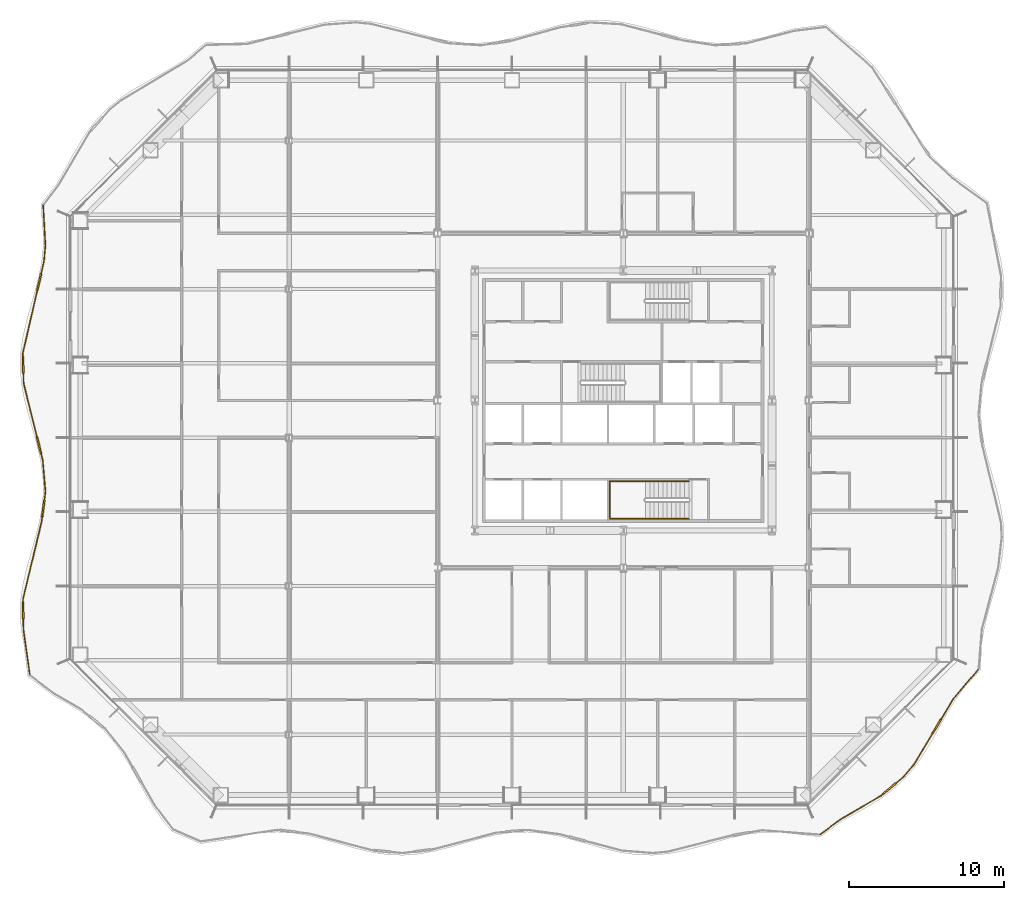
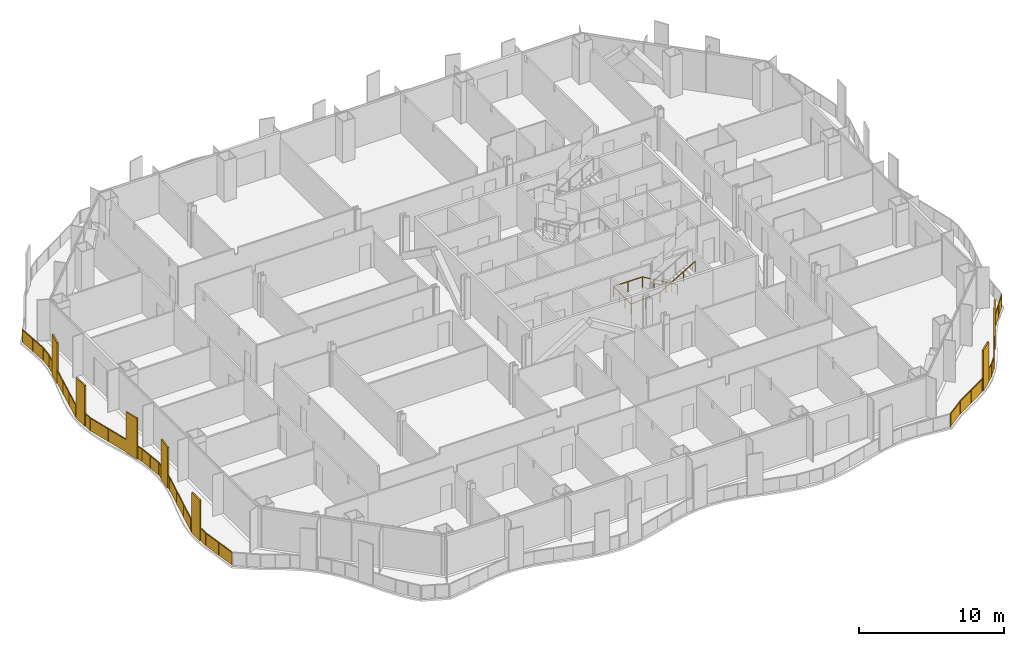
# One storey, part 17 of 21: 3 railings.
"""IFC4 building model written with IfcOpenShell, lengths in metres."""

from ifc_helpers import new_model, si_unit, direction, frame, origin, origin_2d, place, context, subcontext, project, spatial, polyline, rectangle, outline, extrude, material, type_object, element, save


model = new_model("IFC4")

# Units and contexts
model_context = context("Model", 3, precision=1e-05, world=origin(), true_north=direction((0.0, 1.0)))
body_context = subcontext(model_context, "Body", "Model", "MODEL_VIEW")
ifc_project = project(units=[si_unit("LENGTHUNIT", "METRE"), si_unit("AREAUNIT", "SQUARE_METRE"), si_unit("VOLUMEUNIT", "CUBIC_METRE"), si_unit("PLANEANGLEUNIT", "RADIAN"), si_unit("MASSUNIT", "GRAM", prefix="KILO")], contexts=[model_context])

# Site, building, storey
site_placement = place(None, origin())
site = spatial("IfcSite", under=ifc_project, at=site_placement, CompositionType="ELEMENT")
building_placement = place(site_placement, origin())
building = spatial("IfcBuilding", under=site, at=building_placement, Name="Cairn Pilgrim Tower", CompositionType="ELEMENT")
storey_placement = place(building_placement, frame((0.0, 0.0, 58.199951171875)))
storey = spatial("IfcBuildingStorey", under=building, at=storey_placement, Name="L12", CompositionType="ELEMENT", Elevation=58.199951171875)

# Railings
ifc_material_1 = material(Name="Bronze anodised aluminium rail, posts and fin screens with laminated glass infill", Category="aluminium")
railing_type_1 = type_object("IfcRailingType", Name="BALCONY GUARD WITH FIN SCREENS", PredefinedType="GUARDRAIL", material=ifc_material_1)
railing_1_placement = place(storey_placement, frame((19.905029296875, -25.6552734375, 0.0)))
element("IfcRailing", 1, at=railing_1_placement, inside=storey, type_object=railing_type_1, Name="Balcony guard BGF-2 with fin screens", PredefinedType="GUARDRAIL", context=body_context, shape_type="SweptSolid", body=[
    extrude(rectangle(XDim=0.050048828125, YDim=0.050048828125, at=origin_2d()), frame((0.0, 0.0, 1.0751953125), z_axis=(0.803950989121, 0.594695558326, 0.0), x_axis=(-0.594695558326, 0.803950989121, 0.0)), (0.0, 0.0, 1.0), 1.690673828125),
    extrude(rectangle(XDim=0.050048828125, YDim=0.050048828125, at=origin_2d()), frame((1.359130859375, 1.00537109375, 1.0751953125), z_axis=(0.864320719994, 0.502941043253, 0.0), x_axis=(-0.502941043253, 0.864320719994, 0.0)), (0.0, 0.0, 1.0), 3.00439453125),
    extrude(rectangle(XDim=1.10009765625, YDim=0.110107421875, at=origin_2d()), frame((4.490234375, 2.968505859375, 0.0), z_axis=(0.0, 0.0, 1.0), x_axis=(0.76350197981, 0.645805486835, 0.0)), (0.0, 0.0, 1.0), 3.39990234375),
    extrude(rectangle(XDim=0.050048828125, YDim=0.050048828125, at=origin_2d()), frame((3.955810546875, 2.516357421875, 1.0751953125), z_axis=(0.76350197981, 0.645805486835, 0.0), x_axis=(-0.645805486835, 0.76350197981, 0.0)), (0.0, 0.0, 1.0), 0.150146484375),
    extrude(rectangle(XDim=0.050048828125, YDim=0.050048828125, at=origin_2d()), frame((4.91015625, 3.32373046875, 1.0751953125), z_axis=(0.76350197981, 0.645805486835, 0.0), x_axis=(-0.645805486835, 0.76350197981, 0.0)), (0.0, 0.0, 1.0), 0.6708984375),
    extrude(rectangle(XDim=0.050048828125, YDim=0.050048828125, at=origin_2d()), frame((5.42236328125, 3.7568359375, 1.0751953125), z_axis=(0.648604602587, 0.761125528085, 0.0), x_axis=(-0.761125528085, 0.648604602587, 0.0)), (0.0, 0.0, 1.0), 0.9482421875),
    extrude(rectangle(XDim=1.10009765625, YDim=0.110107421875, at=origin_2d()), frame((7.539794921875, 6.977783203125, 0.0), z_axis=(0.0, 0.0, 1.0), x_axis=(0.515228467173, 0.857052872706, 0.0)), (0.0, 0.0, 1.0), 3.39990234375),
    extrude(rectangle(XDim=0.050048828125, YDim=0.050048828125, at=origin_2d()), frame((6.037353515625, 4.478515625, 1.0751953125), z_axis=(0.515228467173, 0.857052872706, 0.0), x_axis=(-0.857052872706, 0.515228467173, 0.0)), (0.0, 0.0, 1.0), 2.365966796875),
    extrude(rectangle(XDim=0.050048828125, YDim=0.050048828125, at=origin_2d()), frame((7.8232421875, 7.448974609375, 1.0751953125), z_axis=(0.515228467173, 0.857052872706, 0.0), x_axis=(-0.857052872706, 0.515228467173, 0.0)), (0.0, 0.0, 1.0), 1.53076171875),
    extrude(rectangle(XDim=0.050048828125, YDim=0.050048828125, at=origin_2d()), frame((8.61181640625, 8.760986328125, 1.0751953125), z_axis=(0.646366879068, 0.763026773871, 0.0), x_axis=(-0.763026773871, 0.646366879068, 0.0)), (0.0, 0.0, 1.0), 2.4736328125),
    extrude(rectangle(XDim=0.050048828125, YDim=0.050048828125, at=origin_2d()), origin(), (0.0, 0.0, 1.0), 1.050048828125),
    extrude(rectangle(XDim=0.050048828125, YDim=0.050048828125, at=origin_2d()), frame((1.359130859375, 1.00537109375, 0.0)), (0.0, 0.0, 1.0), 1.050048828125),
    extrude(rectangle(XDim=0.050048828125, YDim=0.050048828125, at=origin_2d()), frame((2.657470703125, 1.7607421875, 0.0)), (0.0, 0.0, 1.0), 1.050048828125),
    extrude(rectangle(XDim=0.050048828125, YDim=0.050048828125, at=origin_2d()), frame((3.955810546875, 2.516357421875, 0.0)), (0.0, 0.0, 1.0), 1.050048828125),
    extrude(rectangle(XDim=0.050048828125, YDim=0.050048828125, at=origin_2d()), frame((4.05126953125, 2.59716796875, 0.0)), (0.0, 0.0, 1.0), 1.050048828125),
    extrude(rectangle(XDim=0.050048828125, YDim=0.050048828125, at=origin_2d()), frame((4.92919921875, 3.33984375, 0.0)), (0.0, 0.0, 1.0), 1.050048828125),
    extrude(rectangle(XDim=0.050048828125, YDim=0.050048828125, at=origin_2d()), frame((5.42236328125, 3.7568359375, 0.0)), (0.0, 0.0, 1.0), 1.050048828125),
    extrude(rectangle(XDim=0.050048828125, YDim=0.050048828125, at=origin_2d()), frame((6.037353515625, 4.478515625, 0.0)), (0.0, 0.0, 1.0), 1.050048828125),
    extrude(rectangle(XDim=0.050048828125, YDim=0.050048828125, at=origin_2d()), frame((6.640380859375, 5.481689453125, 0.0)), (0.0, 0.0, 1.0), 1.050048828125),
    extrude(rectangle(XDim=0.050048828125, YDim=0.050048828125, at=origin_2d()), frame((7.243408203125, 6.48486328125, 0.0)), (0.0, 0.0, 1.0), 1.050048828125),
    extrude(rectangle(XDim=0.050048828125, YDim=0.050048828125, at=origin_2d()), frame((7.8359375, 7.470458984375, 0.0)), (0.0, 0.0, 1.0), 1.050048828125),
    extrude(rectangle(XDim=0.050048828125, YDim=0.050048828125, at=origin_2d()), frame((8.61181640625, 8.760986328125, 0.0)), (0.0, 0.0, 1.0), 1.050048828125),
    extrude(rectangle(XDim=0.050048828125, YDim=0.050048828125, at=origin_2d()), frame((9.4111328125, 9.70458984375, 0.0)), (0.0, 0.0, 1.0), 1.050048828125),
    extrude(rectangle(XDim=0.050048828125, YDim=0.050048828125, at=origin_2d()), frame((10.210693359375, 10.6484375, 0.0)), (0.0, 0.0, 1.0), 1.050048828125),
    extrude(outline(polyline([(0.02490234375, 0.0), (1.66552734375, 0.0), (1.66552734375, 1.050048828125), (0.02490234375, 1.050048828125), (0.02490234375, 0.0)])), frame((-0.003662109375, 0.0048828125, 0.0), z_axis=(0.594695558326, -0.803950989121, 0.0), x_axis=(0.803950989121, 0.594695558326, 0.0)), (0.0, 0.0, 1.0), 0.011962890625),
    extrude(outline(polyline([(0.02490234375, 0.0), (1.47705078125, 0.0), (1.47705078125, 1.050048828125), (0.02490234375, 1.050048828125), (0.02490234375, 0.0)])), frame((1.356201171875, 1.010498046875, 0.0), z_axis=(0.502941043253, -0.864320719994, 0.0), x_axis=(0.864320719994, 0.502941043253, 0.0)), (0.0, 0.0, 1.0), 0.011962890625),
    extrude(outline(polyline([(0.02490234375, 0.0), (1.47705078125, 0.0), (1.47705078125, 1.050048828125), (0.02490234375, 1.050048828125), (0.02490234375, 0.0)])), frame((2.654541015625, 1.76611328125, 0.0), z_axis=(0.502941043253, -0.864320719994, 0.0), x_axis=(0.864320719994, 0.502941043253, 0.0)), (0.0, 0.0, 1.0), 0.011962890625),
    extrude(outline(polyline([(0.02490234375, 0.0), (0.10009765625, 0.0), (0.10009765625, 1.050048828125), (0.02490234375, 1.050048828125), (0.02490234375, 0.0)])), frame((3.951904296875, 2.52099609375, 0.0), z_axis=(0.645805486835, -0.76350197981, 0.0), x_axis=(0.76350197981, 0.645805486835, 0.0)), (0.0, 0.0, 1.0), 0.011962890625),
    extrude(outline(polyline([(0.02490234375, 0.0), (0.620849609375, 0.0), (0.620849609375, 1.050048828125), (0.02490234375, 1.050048828125), (0.02490234375, 0.0)])), frame((4.925537109375, 3.344482421875, 0.0), z_axis=(0.645805486835, -0.76350197981, 0.0), x_axis=(0.76350197981, 0.645805486835, 0.0)), (0.0, 0.0, 1.0), 0.011962890625),
    extrude(outline(polyline([(0.02490234375, 0.0), (0.923095703125, 0.0), (0.923095703125, 1.050048828125), (0.02490234375, 1.050048828125), (0.02490234375, 0.0)])), frame((5.417724609375, 3.7607421875, 0.0), z_axis=(0.761125528085, -0.648604602587, 0.0), x_axis=(0.648604602587, 0.761125528085, 0.0)), (0.0, 0.0, 1.0), 0.011962890625),
    extrude(outline(polyline([(0.02490234375, 0.0), (1.1455078125, 0.0), (1.1455078125, 1.050048828125), (0.02490234375, 1.050048828125), (0.02490234375, 0.0)])), frame((6.0322265625, 4.481689453125, 0.0), z_axis=(0.857052872706, -0.515228467173, 0.0), x_axis=(0.515228467173, 0.857052872706, 0.0)), (0.0, 0.0, 1.0), 0.011962890625),
    extrude(outline(polyline([(0.02490234375, 0.0), (1.1455078125, 0.0), (1.1455078125, 1.050048828125), (0.02490234375, 1.050048828125), (0.02490234375, 0.0)])), frame((6.63525390625, 5.48486328125, 0.0), z_axis=(0.857052872706, -0.515228467173, 0.0), x_axis=(0.515228467173, 0.857052872706, 0.0)), (0.0, 0.0, 1.0), 0.011962890625),
    extrude(outline(polyline([(0.02490234375, 0.0), (1.480712890625, 0.0), (1.480712890625, 1.050048828125), (0.02490234375, 1.050048828125), (0.02490234375, 0.0)])), frame((7.830810546875, 7.4736328125, 0.0), z_axis=(0.857052872706, -0.515228467173, 0.0), x_axis=(0.515228467173, 0.857052872706, 0.0)), (0.0, 0.0, 1.0), 0.011962890625),
    extrude(outline(polyline([(0.02490234375, 0.0), (1.2119140625, 0.0), (1.2119140625, 1.050048828125), (0.02490234375, 1.050048828125), (0.02490234375, 0.0)])), frame((8.607177734375, 8.764892578125, 0.0), z_axis=(0.763026773871, -0.646366879068, 0.0), x_axis=(0.646366879068, 0.763026773871, 0.0)), (0.0, 0.0, 1.0), 0.011962890625),
    extrude(outline(polyline([(0.02490234375, 0.0), (1.2119140625, 0.0), (1.2119140625, 1.050048828125), (0.02490234375, 1.050048828125), (0.02490234375, 0.0)])), frame((9.40673828125, 9.70849609375, 0.0), z_axis=(0.763026773871, -0.646366879068, 0.0), x_axis=(0.646366879068, 0.763026773871, 0.0)), (0.0, 0.0, 1.0), 0.011962890625),
])
railing_2_placement = place(storey_placement, frame((-30.302734375, 15.038330078125, 0.0)))
element("IfcRailing", 2, at=railing_2_placement, inside=storey, type_object=railing_type_1, Name="Balcony guard BGF-7 with fin screens", PredefinedType="GUARDRAIL", context=body_context, shape_type="SweptSolid", body=[
    extrude(rectangle(XDim=0.050048828125, YDim=0.050048828125, at=origin_2d()), frame((0.0, 0.0, 1.0751953125), z_axis=(0.056040406558, -0.998428501613, 0.0), x_axis=(0.998428501613, 0.056040406558, 0.0)), (0.0, 0.0, 1.0), 2.63134765625),
    extrude(rectangle(XDim=0.050048828125, YDim=0.050048828125, at=origin_2d()), frame((0.1474609375, -2.627197265625, 1.0751953125), z_axis=(-0.091573175168, -0.995798349863, 0.0), x_axis=(0.995798349863, -0.091573175168, 0.0)), (0.0, 0.0, 1.0), 1.0185546875),
    extrude(rectangle(XDim=1.10009765625, YDim=0.110107421875, at=origin_2d()), frame((-0.253173828125, -4.9765625, 0.0), z_axis=(0.0, 0.0, 1.0), x_axis=(-0.224409735924, -0.974494879629, 0.0)), (0.0, 0.0, 1.0), 3.39990234375),
    extrude(rectangle(XDim=0.050048828125, YDim=0.050048828125, at=origin_2d()), frame((0.05419921875, -3.641357421875, 1.0751953125), z_axis=(-0.224409735924, -0.974494879629, 0.0), x_axis=(0.974494879629, -0.224409735924, 0.0)), (0.0, 0.0, 1.0), 0.820068359375),
    extrude(rectangle(XDim=0.050048828125, YDim=0.050048828125, at=origin_2d()), frame((-0.376708984375, -5.512451171875, 1.0751953125), z_axis=(-0.224409735924, -0.974494879629, 0.0), x_axis=(0.974494879629, -0.224409735924, 0.0)), (0.0, 0.0, 1.0), 4.185302734375),
    extrude(rectangle(XDim=1.10009765625, YDim=0.110107421875, at=origin_2d()), frame((-1.29443359375, -10.32763671875, 0.0), z_axis=(0.0, 0.0, 1.0), x_axis=(0.029270396453, -0.999571530153, 0.0)), (0.0, 0.0, 1.0), 3.39990234375),
    extrude(rectangle(XDim=0.050048828125, YDim=0.050048828125, at=origin_2d()), frame((-1.31591796875, -9.591064453125, 1.0751953125), z_axis=(0.029270396453, -0.999571530153, 0.0), x_axis=(0.999571530153, 0.029270396453, 0.0)), (0.0, 0.0, 1.0), 0.18701171875),
    extrude(rectangle(XDim=0.050048828125, YDim=0.050048828125, at=origin_2d()), frame((-1.2783203125, -10.87744140625, 1.0751953125), z_axis=(0.029270396453, -0.999571530153, 0.0), x_axis=(0.999571530153, 0.029270396453, 0.0)), (0.0, 0.0, 1.0), 0.664794921875),
    extrude(rectangle(XDim=1.10009765625, YDim=0.110107421875, at=origin_2d()), frame((-0.264404296875, -15.5400390625, 0.0), z_axis=(0.0, 0.0, 1.0), x_axis=(0.241355607286, -0.970436742313, 0.0)), (0.0, 0.0, 1.0), 3.39990234375),
    extrude(rectangle(XDim=0.050048828125, YDim=0.050048828125, at=origin_2d()), frame((-1.2587890625, -11.5419921875, 1.0751953125), z_axis=(0.241355607286, -0.970436742313, 0.0), x_axis=(0.970436742313, 0.241355607286, 0.0)), (0.0, 0.0, 1.0), 3.56982421875),
    extrude(rectangle(XDim=0.050048828125, YDim=0.050048828125, at=origin_2d()), frame((-0.131591796875, -16.07373046875, 1.0751953125), z_axis=(0.241355607286, -0.970436742313, 0.0), x_axis=(0.970436742313, 0.241355607286, 0.0)), (0.0, 0.0, 1.0), 0.4423828125),
    extrude(rectangle(XDim=0.050048828125, YDim=0.050048828125, at=origin_2d()), frame((-0.02490234375, -16.503173828125, 1.0751953125), z_axis=(0.087062094713, -0.996202886798, 0.0), x_axis=(0.996202886798, 0.087062094713, 0.0)), (0.0, 0.0, 1.0), 2.021728515625),
    extrude(rectangle(XDim=1.10009765625, YDim=0.110107421875, at=origin_2d()), frame((0.0087890625, -19.611328125, 0.0), z_axis=(0.0, 0.0, 1.0), x_axis=(-0.12908693107, -0.991633281121, 0.0)), (0.0, 0.0, 1.0), 3.39990234375),
    extrude(rectangle(XDim=0.050048828125, YDim=0.050048828125, at=origin_2d()), frame((0.151123046875, -18.517333984375, 1.0751953125), z_axis=(-0.12908693107, -0.991633281121, 0.0), x_axis=(0.991633281121, -0.12908693107, 0.0)), (0.0, 0.0, 1.0), 0.55322265625),
    extrude(rectangle(XDim=0.050048828125, YDim=0.050048828125, at=origin_2d()), frame((-0.062255859375, -20.15673828125, 1.0751953125), z_axis=(-0.12908693107, -0.991633281121, 0.0), x_axis=(0.991633281121, -0.12908693107, 0.0)), (0.0, 0.0, 1.0), 0.374267578125),
    extrude(rectangle(XDim=0.050048828125, YDim=0.050048828125, at=origin_2d()), frame((-0.110595703125, -20.52783203125, 1.0751953125), z_axis=(-0.234570295902, -0.972099159695, 0.0), x_axis=(0.972099159695, -0.234570295902, 0.0)), (0.0, 0.0, 1.0), 5.0966796875),
    extrude(rectangle(XDim=1.10009765625, YDim=0.110107421875, at=origin_2d()), frame((-1.29443359375, -26.182373046875, 0.0), z_axis=(0.0, 0.0, 1.0), x_axis=(0.016830533433, -0.999858356541, 0.0)), (0.0, 0.0, 1.0), 3.39990234375),
    extrude(rectangle(XDim=0.050048828125, YDim=0.050048828125, at=origin_2d()), frame((-1.30615234375, -25.482421875, 1.0751953125), z_axis=(0.016830533433, -0.999858356541, 0.0), x_axis=(0.999858356541, 0.016830533433, 0.0)), (0.0, 0.0, 1.0), 0.150146484375),
    extrude(rectangle(XDim=0.050048828125, YDim=0.050048828125, at=origin_2d()), frame((-1.28515625, -26.732421875, 1.0751953125), z_axis=(0.016830533433, -0.999858356541, 0.0), x_axis=(0.999858356541, 0.016830533433, 0.0)), (0.0, 0.0, 1.0), 0.708251953125),
    extrude(rectangle(XDim=0.050048828125, YDim=0.050048828125, at=origin_2d()), frame((-1.273193359375, -27.4404296875, 1.0751953125), z_axis=(0.139010200771, -0.990290949207, 0.0), x_axis=(0.990290949207, 0.139010200771, 0.0)), (0.0, 0.0, 1.0), 2.920654296875),
    extrude(rectangle(XDim=0.050048828125, YDim=0.050048828125, at=origin_2d()), origin(), (0.0, 0.0, 1.0), 1.050048828125),
    extrude(rectangle(XDim=0.050048828125, YDim=0.050048828125, at=origin_2d()), frame((0.07373046875, -1.3134765625, 0.0)), (0.0, 0.0, 1.0), 1.050048828125),
    extrude(rectangle(XDim=0.050048828125, YDim=0.050048828125, at=origin_2d()), frame((0.1474609375, -2.627197265625, 0.0)), (0.0, 0.0, 1.0), 1.050048828125),
    extrude(rectangle(XDim=0.050048828125, YDim=0.050048828125, at=origin_2d()), frame((0.05419921875, -3.641357421875, 0.0)), (0.0, 0.0, 1.0), 1.050048828125),
    extrude(rectangle(XDim=0.050048828125, YDim=0.050048828125, at=origin_2d()), frame((-0.124267578125, -4.416015625, 0.0)), (0.0, 0.0, 1.0), 1.050048828125),
    extrude(rectangle(XDim=0.050048828125, YDim=0.050048828125, at=origin_2d()), frame((-0.38232421875, -5.536865234375, 0.0)), (0.0, 0.0, 1.0), 1.050048828125),
    extrude(rectangle(XDim=0.050048828125, YDim=0.050048828125, at=origin_2d()), frame((-0.693603515625, -6.88818359375, 0.0)), (0.0, 0.0, 1.0), 1.050048828125),
    extrude(rectangle(XDim=0.050048828125, YDim=0.050048828125, at=origin_2d()), frame((-1.004638671875, -8.23974609375, 0.0)), (0.0, 0.0, 1.0), 1.050048828125),
    extrude(rectangle(XDim=0.050048828125, YDim=0.050048828125, at=origin_2d()), frame((-1.31591796875, -9.591064453125, 0.0)), (0.0, 0.0, 1.0), 1.050048828125),
    extrude(rectangle(XDim=0.050048828125, YDim=0.050048828125, at=origin_2d()), frame((-1.311279296875, -9.7529296875, 0.0)), (0.0, 0.0, 1.0), 1.050048828125),
    extrude(rectangle(XDim=0.050048828125, YDim=0.050048828125, at=origin_2d()), frame((-1.277587890625, -10.90234375, 0.0)), (0.0, 0.0, 1.0), 1.050048828125),
    extrude(rectangle(XDim=0.050048828125, YDim=0.050048828125, at=origin_2d()), frame((-1.2587890625, -11.5419921875, 0.0)), (0.0, 0.0, 1.0), 1.050048828125),
    extrude(rectangle(XDim=0.050048828125, YDim=0.050048828125, at=origin_2d()), frame((-0.8310546875, -13.261962890625, 0.0)), (0.0, 0.0, 1.0), 1.050048828125),
    extrude(rectangle(XDim=0.050048828125, YDim=0.050048828125, at=origin_2d()), frame((-0.4033203125, -14.98193359375, 0.0)), (0.0, 0.0, 1.0), 1.050048828125),
    extrude(rectangle(XDim=0.050048828125, YDim=0.050048828125, at=origin_2d()), frame((-0.125732421875, -16.09814453125, 0.0)), (0.0, 0.0, 1.0), 1.050048828125),
    extrude(rectangle(XDim=0.050048828125, YDim=0.050048828125, at=origin_2d()), frame((-0.02490234375, -16.503173828125, 0.0)), (0.0, 0.0, 1.0), 1.050048828125),
    extrude(rectangle(XDim=0.050048828125, YDim=0.050048828125, at=origin_2d()), frame((0.06298828125, -17.51025390625, 0.0)), (0.0, 0.0, 1.0), 1.050048828125),
    extrude(rectangle(XDim=0.050048828125, YDim=0.050048828125, at=origin_2d()), frame((0.151123046875, -18.517333984375, 0.0)), (0.0, 0.0, 1.0), 1.050048828125),
    extrude(rectangle(XDim=0.050048828125, YDim=0.050048828125, at=origin_2d()), frame((0.0830078125, -19.041259765625, 0.0)), (0.0, 0.0, 1.0), 1.050048828125),
    extrude(rectangle(XDim=0.050048828125, YDim=0.050048828125, at=origin_2d()), frame((-0.0654296875, -20.181640625, 0.0)), (0.0, 0.0, 1.0), 1.050048828125),
    extrude(rectangle(XDim=0.050048828125, YDim=0.050048828125, at=origin_2d()), frame((-0.110595703125, -20.52783203125, 0.0)), (0.0, 0.0, 1.0), 1.050048828125),
    extrude(rectangle(XDim=0.050048828125, YDim=0.050048828125, at=origin_2d()), frame((-0.509033203125, -22.179443359375, 0.0)), (0.0, 0.0, 1.0), 1.050048828125),
    extrude(rectangle(XDim=0.050048828125, YDim=0.050048828125, at=origin_2d()), frame((-0.90771484375, -23.830810546875, 0.0)), (0.0, 0.0, 1.0), 1.050048828125),
    extrude(rectangle(XDim=0.050048828125, YDim=0.050048828125, at=origin_2d()), frame((-1.30615234375, -25.482421875, 0.0)), (0.0, 0.0, 1.0), 1.050048828125),
    extrude(rectangle(XDim=0.050048828125, YDim=0.050048828125, at=origin_2d()), frame((-1.303955078125, -25.607421875, 0.0)), (0.0, 0.0, 1.0), 1.050048828125),
    extrude(rectangle(XDim=0.050048828125, YDim=0.050048828125, at=origin_2d()), frame((-1.28466796875, -26.75732421875, 0.0)), (0.0, 0.0, 1.0), 1.050048828125),
    extrude(rectangle(XDim=0.050048828125, YDim=0.050048828125, at=origin_2d()), frame((-1.273193359375, -27.4404296875, 0.0)), (0.0, 0.0, 1.0), 1.050048828125),
    extrude(rectangle(XDim=0.050048828125, YDim=0.050048828125, at=origin_2d()), frame((-1.0703125, -28.88671875, 0.0)), (0.0, 0.0, 1.0), 1.050048828125),
    extrude(rectangle(XDim=0.050048828125, YDim=0.050048828125, at=origin_2d()), frame((-0.8671875, -30.332763671875, 0.0)), (0.0, 0.0, 1.0), 1.050048828125),
    extrude(outline(polyline([(0.02490234375, 0.0), (1.29052734375, 0.0), (1.29052734375, 1.050048828125), (0.02490234375, 1.050048828125), (0.02490234375, 0.0)])), frame((0.005859375, 0.000244140625, 0.0), z_axis=(-0.998428501613, -0.056040406558, 0.0), x_axis=(0.056040406558, -0.998428501613, 0.0)), (0.0, 0.0, 1.0), 0.011962890625),
    extrude(outline(polyline([(0.02490234375, 0.0), (1.29052734375, 0.0), (1.29052734375, 1.050048828125), (0.02490234375, 1.050048828125), (0.02490234375, 0.0)])), frame((0.07958984375, -1.313232421875, 0.0), z_axis=(-0.998428501613, -0.056040406558, 0.0), x_axis=(0.056040406558, -0.998428501613, 0.0)), (0.0, 0.0, 1.0), 0.011962890625),
    extrude(outline(polyline([(0.02490234375, 0.0), (0.993408203125, 0.0), (0.993408203125, 1.050048828125), (0.02490234375, 1.050048828125), (0.02490234375, 0.0)])), frame((0.1533203125, -2.627685546875, 0.0), z_axis=(-0.995798349863, 0.091573175168, 0.0), x_axis=(-0.091573175168, -0.995798349863, 0.0)), (0.0, 0.0, 1.0), 0.011962890625),
    extrude(outline(polyline([(0.02490234375, 0.0), (0.77001953125, 0.0), (0.77001953125, 1.050048828125), (0.02490234375, 1.050048828125), (0.02490234375, 0.0)])), frame((0.06005859375, -3.642578125, 0.0), z_axis=(-0.974494879629, 0.224409735924, 0.0), x_axis=(-0.224409735924, -0.974494879629, 0.0)), (0.0, 0.0, 1.0), 0.011962890625),
    extrude(outline(polyline([(0.02490234375, 0.0), (1.36181640625, 0.0), (1.36181640625, 1.050048828125), (0.02490234375, 1.050048828125), (0.02490234375, 0.0)])), frame((-0.37646484375, -5.5380859375, 0.0), z_axis=(-0.974494879629, 0.224409735924, 0.0), x_axis=(-0.224409735924, -0.974494879629, 0.0)), (0.0, 0.0, 1.0), 0.011962890625),
    extrude(outline(polyline([(0.02490234375, 0.0), (1.36181640625, 0.0), (1.36181640625, 1.050048828125), (0.02490234375, 1.050048828125), (0.02490234375, 0.0)])), frame((-0.687744140625, -6.8896484375, 0.0), z_axis=(-0.974494879629, 0.224409735924, 0.0), x_axis=(-0.224409735924, -0.974494879629, 0.0)), (0.0, 0.0, 1.0), 0.011962890625),
    extrude(outline(polyline([(0.02490234375, 0.0), (1.36181640625, 0.0), (1.36181640625, 1.050048828125), (0.02490234375, 1.050048828125), (0.02490234375, 0.0)])), frame((-0.998779296875, -8.240966796875, 0.0), z_axis=(-0.974494879629, 0.224409735924, 0.0), x_axis=(-0.224409735924, -0.974494879629, 0.0)), (0.0, 0.0, 1.0), 0.011962890625),
    extrude(outline(polyline([(0.02490234375, 0.0), (0.136962890625, 0.0), (0.136962890625, 1.050048828125), (0.02490234375, 1.050048828125), (0.02490234375, 0.0)])), frame((-1.31005859375, -9.5908203125, 0.0), z_axis=(-0.999571530153, -0.029270396453, 0.0), x_axis=(0.029270396453, -0.999571530153, 0.0)), (0.0, 0.0, 1.0), 0.011962890625),
    extrude(outline(polyline([(0.02490234375, 0.0), (0.61474609375, 0.0), (0.61474609375, 1.050048828125), (0.02490234375, 1.050048828125), (0.02490234375, 0.0)])), frame((-1.271484375, -10.90234375, 0.0), z_axis=(-0.999571530153, -0.029270396453, 0.0), x_axis=(0.029270396453, -0.999571530153, 0.0)), (0.0, 0.0, 1.0), 0.011962890625),
    extrude(outline(polyline([(0.02490234375, 0.0), (1.747314453125, 0.0), (1.747314453125, 1.050048828125), (0.02490234375, 1.050048828125), (0.02490234375, 0.0)])), frame((-1.2529296875, -11.54052734375, 0.0), z_axis=(-0.970436742313, -0.241355607286, 0.0), x_axis=(0.241355607286, -0.970436742313, 0.0)), (0.0, 0.0, 1.0), 0.011962890625),
    extrude(outline(polyline([(0.02490234375, 0.0), (1.747314453125, 0.0), (1.747314453125, 1.050048828125), (0.02490234375, 1.050048828125), (0.02490234375, 0.0)])), frame((-0.8251953125, -13.260498046875, 0.0), z_axis=(-0.970436742313, -0.241355607286, 0.0), x_axis=(0.241355607286, -0.970436742313, 0.0)), (0.0, 0.0, 1.0), 0.011962890625),
    extrude(outline(polyline([(0.02490234375, 0.0), (0.392333984375, 0.0), (0.392333984375, 1.050048828125), (0.02490234375, 1.050048828125), (0.02490234375, 0.0)])), frame((-0.119873046875, -16.0966796875, 0.0), z_axis=(-0.970436742313, -0.241355607286, 0.0), x_axis=(0.241355607286, -0.970436742313, 0.0)), (0.0, 0.0, 1.0), 0.011962890625),
    extrude(outline(polyline([(0.02490234375, 0.0), (0.98583984375, 0.0), (0.98583984375, 1.050048828125), (0.02490234375, 1.050048828125), (0.02490234375, 0.0)])), frame((-0.01904296875, -16.502685546875, 0.0), z_axis=(-0.996202886798, -0.087062094713, 0.0), x_axis=(0.087062094713, -0.996202886798, 0.0)), (0.0, 0.0, 1.0), 0.011962890625),
    extrude(outline(polyline([(0.02490234375, 0.0), (0.98583984375, 0.0), (0.98583984375, 1.050048828125), (0.02490234375, 1.050048828125), (0.02490234375, 0.0)])), frame((0.069091796875, -17.509765625, 0.0), z_axis=(-0.996202886798, -0.087062094713, 0.0), x_axis=(0.087062094713, -0.996202886798, 0.0)), (0.0, 0.0, 1.0), 0.011962890625),
    extrude(outline(polyline([(0.02490234375, 0.0), (0.503173828125, 0.0), (0.503173828125, 1.050048828125), (0.02490234375, 1.050048828125), (0.02490234375, 0.0)])), frame((0.156982421875, -18.51806640625, 0.0), z_axis=(-0.991633281121, 0.12908693107, 0.0), x_axis=(-0.12908693107, -0.991633281121, 0.0)), (0.0, 0.0, 1.0), 0.011962890625),
    extrude(outline(polyline([(0.02490234375, 0.0), (0.32421875, 0.0), (0.32421875, 1.050048828125), (0.02490234375, 1.050048828125), (0.02490234375, 0.0)])), frame((-0.0595703125, -20.182373046875, 0.0), z_axis=(-0.991633281121, 0.12908693107, 0.0), x_axis=(-0.12908693107, -0.991633281121, 0.0)), (0.0, 0.0, 1.0), 0.011962890625),
    extrude(outline(polyline([(0.02490234375, 0.0), (1.673828125, 0.0), (1.673828125, 1.050048828125), (0.02490234375, 1.050048828125), (0.02490234375, 0.0)])), frame((-0.104736328125, -20.529296875, 0.0), z_axis=(-0.972099159695, 0.234570295902, 0.0), x_axis=(-0.234570295902, -0.972099159695, 0.0)), (0.0, 0.0, 1.0), 0.011962890625),
    extrude(outline(polyline([(0.02490234375, 0.0), (1.673828125, 0.0), (1.673828125, 1.050048828125), (0.02490234375, 1.050048828125), (0.02490234375, 0.0)])), frame((-0.50341796875, -22.1806640625, 0.0), z_axis=(-0.972099159695, 0.234570295902, 0.0), x_axis=(-0.234570295902, -0.972099159695, 0.0)), (0.0, 0.0, 1.0), 0.011962890625),
    extrude(outline(polyline([(0.02490234375, 0.0), (1.673828125, 0.0), (1.673828125, 1.050048828125), (0.02490234375, 1.050048828125), (0.02490234375, 0.0)])), frame((-0.90185546875, -23.832275390625, 0.0), z_axis=(-0.972099159695, 0.234570295902, 0.0), x_axis=(-0.234570295902, -0.972099159695, 0.0)), (0.0, 0.0, 1.0), 0.011962890625),
    extrude(outline(polyline([(0.02490234375, 0.0), (0.10009765625, 0.0), (0.10009765625, 1.050048828125), (0.02490234375, 1.050048828125), (0.02490234375, 0.0)])), frame((-1.30029296875, -25.482421875, 0.0), z_axis=(-0.999858356541, -0.016830533433, 0.0), x_axis=(0.016830533433, -0.999858356541, 0.0)), (0.0, 0.0, 1.0), 0.011962890625),
    extrude(outline(polyline([(0.02490234375, 0.0), (0.658203125, 0.0), (0.658203125, 1.050048828125), (0.02490234375, 1.050048828125), (0.02490234375, 0.0)])), frame((-1.27880859375, -26.75732421875, 0.0), z_axis=(-0.999858356541, -0.016830533433, 0.0), x_axis=(0.016830533433, -0.999858356541, 0.0)), (0.0, 0.0, 1.0), 0.011962890625),
    extrude(outline(polyline([(0.02490234375, 0.0), (1.435302734375, 0.0), (1.435302734375, 1.050048828125), (0.02490234375, 1.050048828125), (0.02490234375, 0.0)])), frame((-1.267333984375, -27.439697265625, 0.0), z_axis=(-0.990290949207, -0.139010200771, 0.0), x_axis=(0.139010200771, -0.990290949207, 0.0)), (0.0, 0.0, 1.0), 0.011962890625),
    extrude(outline(polyline([(0.02490234375, 0.0), (1.435302734375, 0.0), (1.435302734375, 1.050048828125), (0.02490234375, 1.050048828125), (0.02490234375, 0.0)])), frame((-1.064208984375, -28.8857421875, 0.0), z_axis=(-0.990290949207, -0.139010200771, 0.0), x_axis=(0.139010200771, -0.990290949207, 0.0)), (0.0, 0.0, 1.0), 0.011962890625),
])
ifc_material_2 = material(Name="Painted steel", Category="steel")
railing_type_2 = type_object("IfcRailingType", Name="STAIR HANDRAIL 900", PredefinedType="HANDRAIL", material=ifc_material_2)
railing_3_placement = place(storey_placement, frame((11.425048828125, -2.824951171875, 0.16357421875)))
element("IfcRailing", 3, at=railing_3_placement, inside=storey, type_object=railing_type_2, Name="L12 ST-A stair handrail 1", PredefinedType="HANDRAIL", context=body_context, shape_type="SweptSolid", body=[
    extrude(rectangle(XDim=0.048095703125, YDim=0.048095703125, at=origin_2d()), frame((0.0, 0.0, 0.8759765625), z_axis=(-0.863360870873, 0.0, 0.504586966384), x_axis=(0.0, -1.0, 0.0)), (0.0, 0.0, 1.0), 3.2431640625),
    extrude(rectangle(XDim=0.048095703125, YDim=0.048095703125, at=origin_2d()), frame((-2.800048828125, 0.0, 2.51220703125), z_axis=(-1.0, 0.0, 0.0), x_axis=(0.0, -1.0, 0.0)), (0.0, 0.0, 1.0), 2.300048828125),
    extrude(rectangle(XDim=0.048095703125, YDim=0.048095703125, at=origin_2d()), frame((-5.10009765625, 0.0, 2.51220703125), z_axis=(0.0, -1.0, 0.0), x_axis=(1.0, 0.0, 0.0)), (0.0, 0.0, 1.0), 2.425048828125),
    extrude(rectangle(XDim=0.048095703125, YDim=0.048095703125, at=origin_2d()), frame((-5.10009765625, -2.425048828125, 2.51220703125), z_axis=(0.997480687736, 0.0, 0.070938548008), x_axis=(0.0, 1.0, 0.0)), (0.0, 0.0, 1.0), 2.305908203125),
    extrude(rectangle(XDim=0.048095703125, YDim=0.048095703125, at=origin_2d()), frame((-2.800048828125, -2.425048828125, 2.67578125), z_axis=(0.863360870873, 0.0, 0.504586966384), x_axis=(0.0, 1.0, 0.0)), (0.0, 0.0, 1.0), 3.2431640625),
    extrude(rectangle(XDim=0.0419921875, YDim=0.0419921875, at=origin_2d()), origin(), (0.0, 0.0, 1.0), 0.851806640625),
    extrude(rectangle(XDim=0.0419921875, YDim=0.0419921875, at=origin_2d()), frame((-0.933349609375, 0.0, 0.54541015625)), (0.0, 0.0, 1.0), 0.851806640625),
    extrude(rectangle(XDim=0.0419921875, YDim=0.0419921875, at=origin_2d()), frame((-1.86669921875, 0.0, 1.091064453125)), (0.0, 0.0, 1.0), 0.851806640625),
    extrude(rectangle(XDim=0.0419921875, YDim=0.0419921875, at=origin_2d()), frame((-2.800048828125, 0.0, 1.636474609375)), (0.0, 0.0, 1.0), 0.851806640625),
    extrude(rectangle(XDim=0.0419921875, YDim=0.0419921875, at=origin_2d()), frame((-3.9501953125, 0.0, 1.636474609375)), (0.0, 0.0, 1.0), 0.851806640625),
    extrude(rectangle(XDim=0.0419921875, YDim=0.0419921875, at=origin_2d()), frame((-5.10009765625, 0.0, 1.636474609375)), (0.0, 0.0, 1.0), 0.851806640625),
    extrude(rectangle(XDim=0.0419921875, YDim=0.0419921875, at=origin_2d()), frame((-5.10009765625, -0.808349609375, 1.636474609375)), (0.0, 0.0, 1.0), 0.851806640625),
    extrude(rectangle(XDim=0.0419921875, YDim=0.0419921875, at=origin_2d()), frame((-5.10009765625, -1.61669921875, 1.636474609375)), (0.0, 0.0, 1.0), 0.851806640625),
    extrude(rectangle(XDim=0.0419921875, YDim=0.0419921875, at=origin_2d()), frame((-5.10009765625, -2.425048828125, 1.636474609375)), (0.0, 0.0, 1.0), 0.851806640625),
    extrude(rectangle(XDim=0.0419921875, YDim=0.0419921875, at=origin_2d()), frame((-3.9501953125, -2.425048828125, 1.71826171875)), (0.0, 0.0, 1.0), 0.851806640625),
    extrude(rectangle(XDim=0.0419921875, YDim=0.0419921875, at=origin_2d()), frame((-2.800048828125, -2.425048828125, 1.800048828125)), (0.0, 0.0, 1.0), 0.851806640625),
    extrude(rectangle(XDim=0.0419921875, YDim=0.0419921875, at=origin_2d()), frame((-1.86669921875, -2.425048828125, 2.345458984375)), (0.0, 0.0, 1.0), 0.851806640625),
    extrude(rectangle(XDim=0.0419921875, YDim=0.0419921875, at=origin_2d()), frame((-0.933349609375, -2.425048828125, 2.89111328125)), (0.0, 0.0, 1.0), 0.851806640625),
    extrude(rectangle(XDim=0.0419921875, YDim=0.0419921875, at=origin_2d()), frame((0.0, -2.425048828125, 3.4365234375)), (0.0, 0.0, 1.0), 0.851806640625),
])

save(model, "model.ifc")
